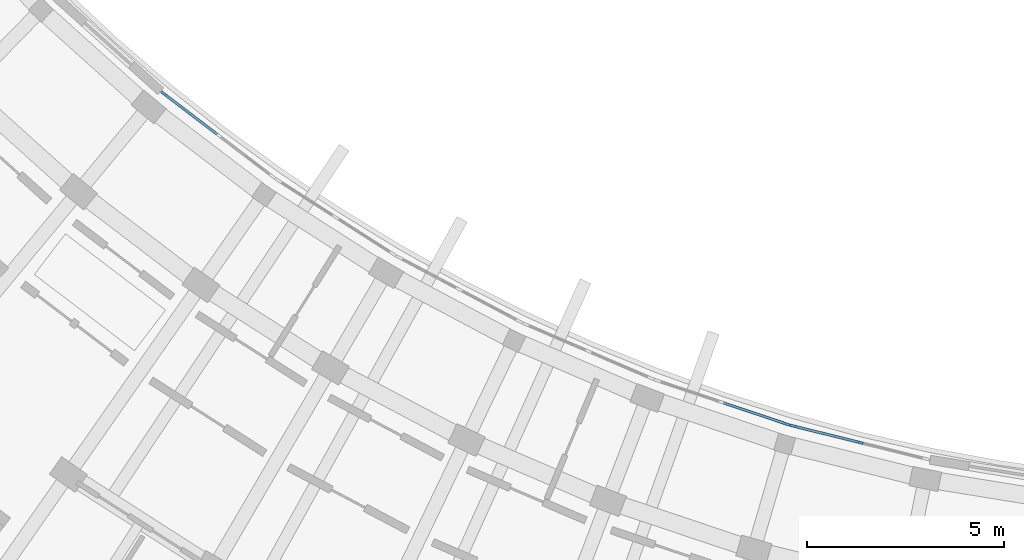
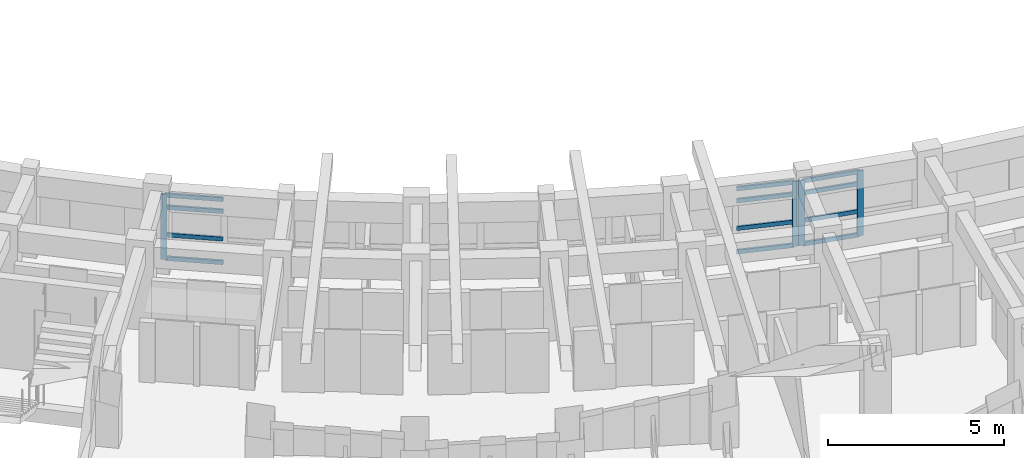
# One storey, part 14 of 55: 16 members, 3 elements without a shape of their own.
"""IFC4 building model written with IfcOpenShell, lengths in metres."""

from ifc_helpers import new_model, si_unit, direction, frame, origin, origin_2d, place, context, subcontext, project, spatial, rectangle, extrude, material, material_profile, profile_set, type_object, element, aggregate, save


model = new_model("IFC4")

# Units and contexts
model_context = context("Model", 3, precision=1e-05, world=origin(), true_north=direction((0.0, 1.0)))
body_context = subcontext(model_context, "Body", "Model", "MODEL_VIEW")
ifc_project = project(units=[si_unit("LENGTHUNIT", "METRE"), si_unit("AREAUNIT", "SQUARE_METRE"), si_unit("VOLUMEUNIT", "CUBIC_METRE"), si_unit("PLANEANGLEUNIT", "RADIAN"), si_unit("MASSUNIT", "GRAM", prefix="KILO")], contexts=[model_context])

# Site, building, storey
site_placement = place(None, origin())
site = spatial("IfcSite", under=ifc_project, at=site_placement, CompositionType="ELEMENT")
building_placement = place(site_placement, origin())
building = spatial("IfcBuilding", under=site, at=building_placement, Name="Zimvara Arc Housing Community", CompositionType="ELEMENT")
storey_placement = place(building_placement, frame((0.0, 0.0, 14.300048828125)))
storey = spatial("IfcBuildingStorey", under=building, at=storey_placement, Name="L04", CompositionType="ELEMENT", Elevation=14.300048828125)

# Curtain wall, member
ifc_material_1 = material(Name="Anodised Aluminium AW-6063", Category="aluminium")
curtain_wall_type_1 = type_object("IfcCurtainWallType", Name="CW-SYS-04", PredefinedType="USERDEFINED", material=ifc_material_1)
curtain_wall_1_placement = place(storey_placement, origin())
curtain_wall_1 = element("IfcCurtainWall", 1, at=curtain_wall_1_placement, inside=storey, type_object=curtain_wall_type_1, Name="cw:blkC:L04:in:b2", ObjectType="CURTAIN WALL", PredefinedType="USERDEFINED")
ifc_material_2 = material(Name="Anodised Aluminium AW-6063", Category="aluminium")
ifc_material_profile_1 = material_profile(ifc_material_2, rectangle(XDim=0.06494140625, YDim=0.179931640625, at=origin_2d()), Name="ALU 65x180")
ifc_profile_set_1 = profile_set([ifc_material_profile_1], Name="Anodised Aluminium AW-6063")
member_type_1 = type_object("IfcMemberType", Name="CWM-65x150", PredefinedType="MULLION", material=ifc_profile_set_1)
member_1_placement = place(storey_placement, frame((97.587646484375, 75.443603515625, 0.0), z_axis=(0.0, 0.0, 1.0), x_axis=(0.605988318533, 0.795473543119, 0.0)))
member_1 = element("IfcMember", 2, at=member_1_placement, type_object=member_type_1, Name="CW04 mullion 1", PredefinedType="MULLION", context=body_context, shape_type="SweptSolid", body=[
    extrude(rectangle(XDim=0.06494140625, YDim=0.179931640625, at=origin_2d()), origin(), (0.0, 0.0, 1.0), 2.25),
])

ifc_material_3 = material(Name="Anodised Aluminium AW-6063", Category="aluminium")
curtain_wall_type_2 = type_object("IfcCurtainWallType", Name="CW-SYS-02", PredefinedType="USERDEFINED", material=ifc_material_3)
curtain_wall_2_placement = place(storey_placement, origin())
curtain_wall_2 = element("IfcCurtainWall", 3, at=curtain_wall_2_placement, inside=storey, type_object=curtain_wall_type_2, Name="cw:blkC:L04:in:b6", ObjectType="CURTAIN WALL", PredefinedType="USERDEFINED")
member_2_placement = place(storey_placement, frame((113.413818359375, 67.0498046875, 0.0), z_axis=(0.0, 0.0, 1.0), x_axis=(0.318630249383, 0.94787908732, 0.0)))
member_2 = element("IfcMember", 4, at=member_2_placement, type_object=member_type_1, Name="CW02 mullion 3", PredefinedType="MULLION", context=body_context, shape_type="SweptSolid", body=[
    extrude(rectangle(XDim=0.06494140625, YDim=0.179931640625, at=origin_2d()), origin(), (0.0, 0.0, 1.0), 2.25),
])

# Curtain wall, members
curtain_wall_3_placement = place(storey_placement, origin())
curtain_wall_3 = element("IfcCurtainWall", 5, at=curtain_wall_3_placement, inside=storey, type_object=curtain_wall_type_1, Name="cw:blkC:L04:in:b7", ObjectType="CURTAIN WALL", PredefinedType="USERDEFINED")
member_3_placement = place(storey_placement, frame((113.59130859375, 66.998291015625, 0.0), z_axis=(0.0, 0.0, 1.0), x_axis=(0.240227815706, 0.970716537698, 0.0)))
member_3 = element("IfcMember", 6, at=member_3_placement, type_object=member_type_1, Name="CW04 mullion 1", PredefinedType="MULLION", context=body_context, shape_type="SweptSolid", body=[
    extrude(rectangle(XDim=0.06494140625, YDim=0.179931640625, at=origin_2d()), origin(), (0.0, 0.0, 1.0), 2.25),
])
member_4_placement = place(storey_placement, frame((115.27001953125, 66.582763671875, 0.0), z_axis=(0.0, 0.0, 1.0), x_axis=(0.240227815706, 0.970716537698, 0.0)))
member_4 = element("IfcMember", 7, at=member_4_placement, type_object=member_type_1, Name="CW04 mullion 2", PredefinedType="MULLION", context=body_context, shape_type="SweptSolid", body=[
    extrude(rectangle(XDim=0.06494140625, YDim=0.179931640625, at=origin_2d()), origin(), (0.0, 0.0, 1.0), 2.25),
])

# Member
ifc_material_4 = material(Name="Anodised Aluminium AW-6063", Category="aluminium")
ifc_material_profile_2 = material_profile(ifc_material_4, rectangle(XDim=0.06494140625, YDim=0.139892578125, at=origin_2d()), Name="ALU 65x140")
ifc_profile_set_2 = profile_set([ifc_material_profile_2], Name="Anodised Aluminium AW-6063")
member_type_2 = type_object("IfcMemberType", Name="CWT-65x120", PredefinedType="USERDEFINED", material=ifc_profile_set_2)
member_5_placement = place(storey_placement, frame((97.613525390625, 75.423828125, 0.032470703125), z_axis=(0.795488960577, -0.605968079687, 0.0), x_axis=(0.605968079687, 0.795488960577, 0.0)))
member_5 = element("IfcMember", 8, at=member_5_placement, type_object=member_type_2, Name="CW04 transom 1.1", ObjectType="TRANSOM", PredefinedType="USERDEFINED", context=body_context, shape_type="SweptSolid", body=[
    extrude(rectangle(XDim=0.06494140625, YDim=0.139892578125, at=origin_2d()), origin(), (0.0, 0.0, 1.0), 1.664306640625),
])

member_6_placement = place(storey_placement, frame((97.613525390625, 75.423828125, 0.849853515625), z_axis=(0.795488960577, -0.605968079687, 0.0), x_axis=(0.605968079687, 0.795488960577, 0.0)))
member_6 = element("IfcMember", 9, at=member_6_placement, type_object=member_type_2, Name="CW04 transom 1.2", ObjectType="TRANSOM", PredefinedType="USERDEFINED", context=body_context, shape_type="SweptSolid", body=[
    extrude(rectangle(XDim=0.06494140625, YDim=0.139892578125, at=origin_2d()), origin(), (0.0, 0.0, 1.0), 1.664306640625),
])

member_7_placement = place(storey_placement, frame((97.613525390625, 75.423828125, 1.800048828125), z_axis=(0.795488960577, -0.605968079687, 0.0), x_axis=(0.605968079687, 0.795488960577, 0.0)))
member_7 = element("IfcMember", 10, at=member_7_placement, type_object=member_type_2, Name="CW04 transom 1.3", ObjectType="TRANSOM", PredefinedType="USERDEFINED", context=body_context, shape_type="SweptSolid", body=[
    extrude(rectangle(XDim=0.06494140625, YDim=0.139892578125, at=origin_2d()), origin(), (0.0, 0.0, 1.0), 1.664306640625),
])

member_8_placement = place(storey_placement, frame((97.613525390625, 75.423828125, 2.217529296875), z_axis=(0.795488960577, -0.605968079687, 0.0), x_axis=(0.605968079687, 0.795488960577, 0.0)))
member_8 = element("IfcMember", 11, at=member_8_placement, type_object=member_type_2, Name="CW04 transom 1.4", ObjectType="TRANSOM", PredefinedType="USERDEFINED", context=body_context, shape_type="SweptSolid", body=[
    extrude(rectangle(XDim=0.06494140625, YDim=0.139892578125, at=origin_2d()), origin(), (0.0, 0.0, 1.0), 1.664306640625),
])

aggregate(curtain_wall_1, [member_1, member_5, member_6, member_7, member_8])

member_9_placement = place(storey_placement, frame((111.805419921875, 67.590576171875, 0.032470703125), z_axis=(0.947888214723, -0.318603095385, 0.0), x_axis=(0.318603095385, 0.947888214723, 0.0)))
member_9 = element("IfcMember", 12, at=member_9_placement, type_object=member_type_2, Name="CW02 transom 2.1", ObjectType="TRANSOM", PredefinedType="USERDEFINED", context=body_context, shape_type="SweptSolid", body=[
    extrude(rectangle(XDim=0.06494140625, YDim=0.139892578125, at=origin_2d()), origin(), (0.0, 0.0, 1.0), 1.664306640625),
])

member_10_placement = place(storey_placement, frame((111.805419921875, 67.590576171875, 0.849853515625), z_axis=(0.947888214723, -0.318603095385, 0.0), x_axis=(0.318603095385, 0.947888214723, 0.0)))
member_10 = element("IfcMember", 13, at=member_10_placement, type_object=member_type_2, Name="CW02 transom 2.2", ObjectType="TRANSOM", PredefinedType="USERDEFINED", context=body_context, shape_type="SweptSolid", body=[
    extrude(rectangle(XDim=0.06494140625, YDim=0.139892578125, at=origin_2d()), origin(), (0.0, 0.0, 1.0), 1.664306640625),
])

member_11_placement = place(storey_placement, frame((111.805419921875, 67.590576171875, 1.800048828125), z_axis=(0.947888214723, -0.318603095385, 0.0), x_axis=(0.318603095385, 0.947888214723, 0.0)))
member_11 = element("IfcMember", 14, at=member_11_placement, type_object=member_type_2, Name="CW02 transom 2.3", ObjectType="TRANSOM", PredefinedType="USERDEFINED", context=body_context, shape_type="SweptSolid", body=[
    extrude(rectangle(XDim=0.06494140625, YDim=0.139892578125, at=origin_2d()), origin(), (0.0, 0.0, 1.0), 1.664306640625),
])

member_12_placement = place(storey_placement, frame((111.805419921875, 67.590576171875, 2.217529296875), z_axis=(0.947888214723, -0.318603095385, 0.0), x_axis=(0.318603095385, 0.947888214723, 0.0)))
member_12 = element("IfcMember", 15, at=member_12_placement, type_object=member_type_2, Name="CW02 transom 2.4", ObjectType="TRANSOM", PredefinedType="USERDEFINED", context=body_context, shape_type="SweptSolid", body=[
    extrude(rectangle(XDim=0.06494140625, YDim=0.139892578125, at=origin_2d()), origin(), (0.0, 0.0, 1.0), 1.664306640625),
])

aggregate(curtain_wall_2, [member_2, member_9, member_10, member_11, member_12])

member_13_placement = place(storey_placement, frame((113.622802734375, 66.990478515625, 0.032470703125), z_axis=(0.970709278499, -0.2402571469, 0.0), x_axis=(0.2402571469, 0.970709278499, 0.0)))
member_13 = element("IfcMember", 16, at=member_13_placement, type_object=member_type_2, Name="CW04 transom 1.1", ObjectType="TRANSOM", PredefinedType="USERDEFINED", context=body_context, shape_type="SweptSolid", body=[
    extrude(rectangle(XDim=0.06494140625, YDim=0.139892578125, at=origin_2d()), origin(), (0.0, 0.0, 1.0), 1.66455078125),
])

member_14_placement = place(storey_placement, frame((113.622802734375, 66.990478515625, 0.849853515625), z_axis=(0.970709278499, -0.2402571469, 0.0), x_axis=(0.2402571469, 0.970709278499, 0.0)))
member_14 = element("IfcMember", 17, at=member_14_placement, type_object=member_type_2, Name="CW04 transom 1.2", ObjectType="TRANSOM", PredefinedType="USERDEFINED", context=body_context, shape_type="SweptSolid", body=[
    extrude(rectangle(XDim=0.06494140625, YDim=0.139892578125, at=origin_2d()), origin(), (0.0, 0.0, 1.0), 1.66455078125),
])

member_15_placement = place(storey_placement, frame((113.622802734375, 66.990478515625, 1.800048828125), z_axis=(0.970709278499, -0.2402571469, 0.0), x_axis=(0.2402571469, 0.970709278499, 0.0)))
member_15 = element("IfcMember", 18, at=member_15_placement, type_object=member_type_2, Name="CW04 transom 1.3", ObjectType="TRANSOM", PredefinedType="USERDEFINED", context=body_context, shape_type="SweptSolid", body=[
    extrude(rectangle(XDim=0.06494140625, YDim=0.139892578125, at=origin_2d()), origin(), (0.0, 0.0, 1.0), 1.66455078125),
])

member_16_placement = place(storey_placement, frame((113.622802734375, 66.990478515625, 2.217529296875), z_axis=(0.970709278499, -0.2402571469, 0.0), x_axis=(0.2402571469, 0.970709278499, 0.0)))
member_16 = element("IfcMember", 19, at=member_16_placement, type_object=member_type_2, Name="CW04 transom 1.4", ObjectType="TRANSOM", PredefinedType="USERDEFINED", context=body_context, shape_type="SweptSolid", body=[
    extrude(rectangle(XDim=0.06494140625, YDim=0.139892578125, at=origin_2d()), origin(), (0.0, 0.0, 1.0), 1.66455078125),
])

aggregate(curtain_wall_3, [member_3, member_4, member_13, member_14, member_15, member_16])

save(model, "model.ifc")
